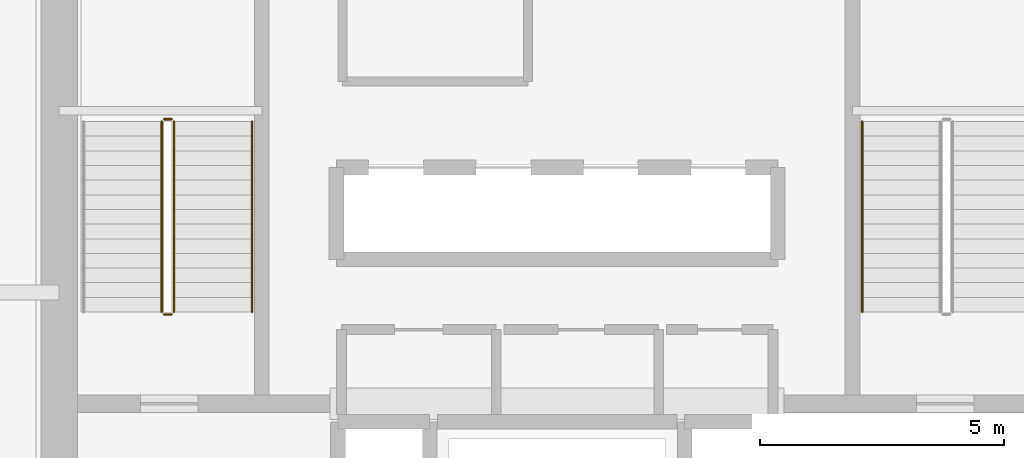
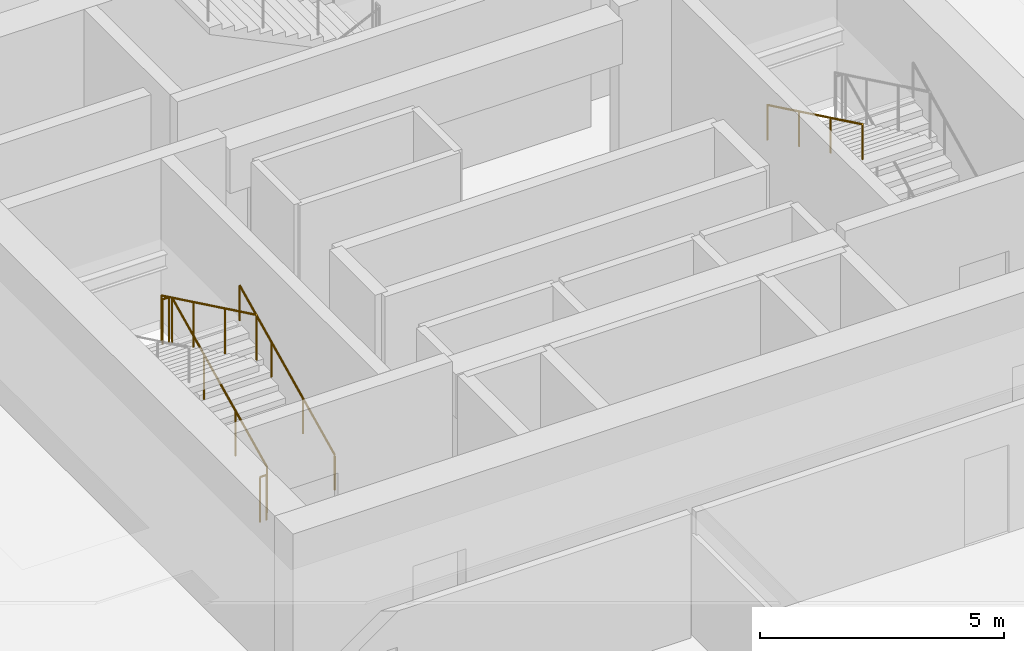
# One storey, part 33 of 36: 6 railings.
"""IFC4 building model written with IfcOpenShell, lengths in metres."""

import ifcopenshell
import ifcopenshell.guid

model = None  # the IFC model being written
_history = None  # IfcOwnerHistory: only IFC2X3 demands one
_inside = {}  # id of a spatial element -> (the spatial element, [elements in it])
_under = {}  # id of a project, library or spatial element -> (it, [spatial elements below it])
_declared = {}  # id of a project -> (the project, [libraries it declares])
_typed = {}  # id of a type object -> (the type object, [elements of that type])
_made_of = {}  # id of a material, layer set ... -> (it, [elements and type objects made of it])


def new_model(schema):
    """Start an empty IFC model of exactly this schema.

    Asked for "IFC4X3", IfcOpenShell would pick the latest addendum, in which some entities
    have other attributes; the version numbers below select the first issue.
    IFC2X3 requires an IfcOwnerHistory on every rooted entity: one is made here for all.
    """
    global model, _history
    if schema == "IFC4X3":
        model = ifcopenshell.file(schema_version=(4, 3, 0, 0))
    else:
        model = ifcopenshell.file(schema=schema)
    _inside.clear()
    _under.clear()
    _declared.clear()
    _typed.clear()
    _made_of.clear()
    _history = None
    if model.schema == "IFC2X3":
        org = make("IfcOrganization", Name="unknown")
        user = make(
            "IfcPersonAndOrganization",
            ThePerson=make("IfcPerson", FamilyName="unknown"),
            TheOrganization=org,
        )
        app = make(
            "IfcApplication",
            ApplicationDeveloper=org,
            Version="unknown",
            ApplicationFullName="unknown",
            ApplicationIdentifier="unknown",
        )
        _history = make(
            "IfcOwnerHistory",
            OwningUser=user,
            OwningApplication=app,
            ChangeAction="ADDED",
            CreationDate=0,
        )
    return model


def make(cls, **values):
    """One entity of the class cls with the attributes given. An attribute that is None is left unset."""
    return model.create_entity(
        cls, **{name: value for name, value in values.items() if value is not None}
    )


def rooted(cls, **values):
    """An entity with a GlobalId (a new one), such as an element, a storey or a relation."""
    return make(cls, GlobalId=ifcopenshell.guid.new(), OwnerHistory=_history, **values)


def si_unit(unit_type, name, prefix=None):
    """IfcSIUnit, for example si_unit("LENGTHUNIT", "METRE", prefix="MILLI")."""
    return make("IfcSIUnit", UnitType=unit_type, Prefix=prefix, Name=name)


def assignment(units):
    """IfcUnitAssignment: the units of a project."""
    return None if units is None else make("IfcUnitAssignment", Units=units)


def point(xyz):
    """IfcCartesianPoint."""
    return None if xyz is None else make("IfcCartesianPoint", Coordinates=xyz)


def direction(xyz):
    """IfcDirection."""
    return None if xyz is None else make("IfcDirection", DirectionRatios=xyz)


def frame(location, z_axis=None, x_axis=None):
    """IfcAxis2Placement3D, a coordinate frame: its origin and axes. An axis left out is left unset."""
    return make(
        "IfcAxis2Placement3D",
        Location=point(location),
        Axis=direction(z_axis),
        RefDirection=direction(x_axis),
    )


def frame_2d(location, x_axis=None):
    """IfcAxis2Placement2D, a coordinate frame in the plane: its origin and x axis."""
    return make(
        "IfcAxis2Placement2D", Location=point(location), RefDirection=direction(x_axis)
    )


def origin():
    """The frame at (0, 0, 0) with its axes left unset."""
    return frame((0.0, 0.0, 0.0))


def origin_2d():
    """The frame at (0, 0) in the plane with its x axis left unset."""
    return frame_2d((0.0, 0.0))


def place(relative_to, where):
    """IfcLocalPlacement: puts the frame where relative to a parent placement (None: the world)."""
    return make(
        "IfcLocalPlacement", PlacementRelTo=relative_to, RelativePlacement=where
    )


def context(
    kind, dimensions, precision=None, world=None, true_north=None, identifier=None
):
    """IfcGeometricRepresentationContext, for example the 3D "Model" context."""
    return make(
        "IfcGeometricRepresentationContext",
        ContextIdentifier=identifier,
        ContextType=kind,
        CoordinateSpaceDimension=dimensions,
        Precision=precision,
        WorldCoordinateSystem=world,
        TrueNorth=true_north,
    )


def subcontext(parent, identifier, kind, view, scale=None):
    """IfcGeometricRepresentationSubContext, for example "Body" below "Model"."""
    return make(
        "IfcGeometricRepresentationSubContext",
        ContextIdentifier=identifier,
        ContextType=kind,
        ParentContext=parent,
        TargetScale=scale,
        TargetView=view,
    )


def project(units=None, contexts=None):
    """IfcProject with its units and contexts."""
    return rooted(
        "IfcProject",
        Name="project",
        RepresentationContexts=contexts,
        UnitsInContext=assignment(units),
    )


def spatial(cls, under=None, at=None, **own):
    """A site, building, storey or space (cls), placed at a placement, below another one or the project."""
    s = rooted(cls, ObjectPlacement=at, **own)
    if under is not None:
        _under.setdefault(under.id(), (under, []))[1].append(s)
    return s


def profile(cls, at=None, kind="AREA", **sizes):
    """A parametric profile (cls). Its sizes go by their IFC names, for example OverallWidth=200.0."""
    return make(cls, ProfileType=kind, Position=at, **sizes)


def circle(**sizes):
    """IfcCircleProfileDef."""
    return profile("IfcCircleProfileDef", **sizes)


def extrude(swept, where, along, depth):
    """IfcExtrudedAreaSolid: the profile swept, set in the frame where, extruded along a direction by depth."""
    return make(
        "IfcExtrudedAreaSolid",
        SweptArea=swept,
        Position=where,
        ExtrudedDirection=direction(along),
        Depth=depth,
    )


def shape(context_of_items, identifier, shape_type, items):
    """IfcShapeRepresentation: the items that make up one representation, for example the "Body"."""
    return make(
        "IfcShapeRepresentation",
        ContextOfItems=context_of_items,
        RepresentationIdentifier=identifier,
        RepresentationType=shape_type,
        Items=items,
    )


def material(Name=None, Category=None):
    """IfcMaterial."""
    return make("IfcMaterial", Name=Name, Category=Category)


def made_of(thing, what):
    """Note that an element or type object is made of a material, layer set ...; save() writes the relation."""
    if what is not None:
        _made_of.setdefault(what.id(), (what, []))[1].append(thing)
    return thing


def type_object(cls, material=None, **own):
    """A type object (cls), such as IfcWallType, which elements share."""
    return made_of(rooted(cls, **own), material)


def element(
    cls,
    number,
    at=None,
    inside=None,
    cuts=None,
    type_object=None,
    material=None,
    context=None,
    identifier="Body",
    shape_type=None,
    held_by="IfcProductDefinitionShape",
    body=None,
    shapes=None,
    **own,
):
    """One element of the class cls, such as IfcWall. Its Tag is "e" and its number.

    at: its placement. inside: the storey or other place that contains it. cuts: it is an
    opening in that element (IfcRelVoidsElement). A single representation is given by context,
    identifier, shape_type and body (its items); several are given by shapes. held_by: the class
    of the entity that holds the representations. save() writes the other relations.
    """
    e = rooted(cls, Tag="e%d" % number, ObjectPlacement=at, **own)
    if body is not None:
        shapes = [shape(context, identifier, shape_type, body)]
    if shapes is not None:
        e.Representation = make(held_by, Representations=shapes)
    if inside is not None:
        _inside.setdefault(inside.id(), (inside, []))[1].append(e)
    if cuts is not None:
        rooted(
            "IfcRelVoidsElement", RelatingBuildingElement=cuts, RelatedOpeningElement=e
        )
    if type_object is not None:
        _typed.setdefault(type_object.id(), (type_object, []))[1].append(e)
    return made_of(e, material)


def aggregate(whole, parts):
    """IfcRelAggregates: a whole, such as a stair, and the parts it consists of."""
    return rooted("IfcRelAggregates", RelatingObject=whole, RelatedObjects=parts)


def save(model, path):
    """Write the relations noted so far, then the file.

    IfcRelAggregates (storeys below a building ...), IfcRelContainedInSpatialStructure (elements
    in a storey), IfcRelDefinesByType, IfcRelAssociatesMaterial and IfcRelDeclares: one each for
    every whole, place, type object, material and project.
    """
    for whole, parts in _under.values():
        aggregate(whole, parts)
    for where, things in _inside.values():
        rooted(
            "IfcRelContainedInSpatialStructure",
            RelatedElements=things,
            RelatingStructure=where,
        )
    for kind, things in _typed.values():
        rooted("IfcRelDefinesByType", RelatedObjects=things, RelatingType=kind)
    for what, things in _made_of.values():
        rooted("IfcRelAssociatesMaterial", RelatedObjects=things, RelatingMaterial=what)
    for by, libraries in _declared.values():
        rooted("IfcRelDeclares", RelatingContext=by, RelatedDefinitions=libraries)
    model.write(path)


model = new_model("IFC4")

# Units and contexts
model_context = context("Model", 3, precision=1e-05, world=origin(), true_north=direction((0.0, 1.0)))
body_context = subcontext(model_context, "Body", "Model", "MODEL_VIEW")
ifc_project = project(units=[si_unit("LENGTHUNIT", "METRE"), si_unit("AREAUNIT", "SQUARE_METRE"), si_unit("VOLUMEUNIT", "CUBIC_METRE"), si_unit("PLANEANGLEUNIT", "RADIAN"), si_unit("MASSUNIT", "GRAM", prefix="KILO")], contexts=[model_context])

# Site, building, storey
site_placement = place(None, origin())
site = spatial("IfcSite", under=ifc_project, at=site_placement, CompositionType="ELEMENT")
building_placement = place(site_placement, origin())
building = spatial("IfcBuilding", under=site, at=building_placement, Name="Punatoya Terracotta Tower", CompositionType="ELEMENT")
storey_placement = place(building_placement, frame((0.0, 0.0, 40.35009765625)))
storey = spatial("IfcBuildingStorey", under=building, at=storey_placement, Name="L08", CompositionType="ELEMENT", Elevation=40.35009765625)

# Railings
ifc_material = material(Name="Steel S355", Category="steel")
railing_type_1 = type_object("IfcRailingType", Name="RLG-GRD-1150", PredefinedType="GUARDRAIL", material=ifc_material)
railing_1_placement = place(storey_placement, frame((-7.85009765625, -3.800048828125, 0.14453125)))
element("IfcRailing", 1, at=railing_1_placement, inside=storey, type_object=railing_type_1, Name="L08 ST-1 stair guard 1", PredefinedType="GUARDRAIL", context=body_context, shape_type="SweptSolid", body=[
    extrude(circle(Radius=0.02392578125, at=origin_2d()), frame((0.0, 0.0, 1.1259765625), z_axis=(0.0, 0.900773802044, 0.434288564841), x_axis=(-1.0, 0.0, 0.0)), (0.0, 0.0, 1.0), 4.329833984375),
    extrude(circle(Radius=0.02099609375, at=origin_2d()), origin(), (0.0, 0.0, 1.0), 1.101806640625),
    extrude(circle(Radius=0.02099609375, at=origin_2d()), frame((0.0, 1.300048828125, 0.626708984375)), (0.0, 0.0, 1.0), 1.101806640625),
    extrude(circle(Radius=0.02099609375, at=origin_2d()), frame((0.0, 2.60009765625, 1.253662109375)), (0.0, 0.0, 1.0), 1.101806640625),
    extrude(circle(Radius=0.02099609375, at=origin_2d()), frame((0.0, 3.900146484375, 1.88037109375)), (0.0, 0.0, 1.0), 1.101806640625),
])
railing_2_placement = place(storey_placement, frame((-7.89990234375, 0.14990234375, 2.02490234375)))
element("IfcRailing", 2, at=railing_2_placement, inside=storey, type_object=railing_type_1, Name="L08 ST-1 stair guard 2", PredefinedType="GUARDRAIL", context=body_context, shape_type="SweptSolid", body=[
    extrude(circle(Radius=0.02392578125, at=origin_2d()), frame((0.0, 0.0, 1.1259765625), z_axis=(-1.0, 0.0, 0.0), x_axis=(0.0, -1.0, 0.0)), (0.0, 0.0, 1.0), 0.150146484375),
    extrude(circle(Radius=0.02099609375, at=origin_2d()), origin(), (0.0, 0.0, 1.0), 1.101806640625),
    extrude(circle(Radius=0.02099609375, at=origin_2d()), frame((-0.150146484375, 0.0, 0.0)), (0.0, 0.0, 1.0), 1.101806640625),
])
railing_3_placement = place(storey_placement, frame((-8.10009765625, 0.10009765625, 2.16943359375)))
element("IfcRailing", 3, at=railing_3_placement, inside=storey, type_object=railing_type_1, Name="L08 ST-1 stair guard 3", PredefinedType="GUARDRAIL", context=body_context, shape_type="SweptSolid", body=[
    extrude(circle(Radius=0.02392578125, at=origin_2d()), frame((0.0, 0.0, 1.1259765625), z_axis=(0.0, -0.900773802044, 0.434288564841), x_axis=(1.0, 0.0, 0.0)), (0.0, 0.0, 1.0), 4.329833984375),
    extrude(circle(Radius=0.02099609375, at=origin_2d()), origin(), (0.0, 0.0, 1.0), 1.101806640625),
    extrude(circle(Radius=0.02099609375, at=origin_2d()), frame((0.0, -1.300048828125, 0.626708984375)), (0.0, 0.0, 1.0), 1.101806640625),
    extrude(circle(Radius=0.02099609375, at=origin_2d()), frame((0.0, -2.60009765625, 1.253662109375)), (0.0, 0.0, 1.0), 1.101806640625),
    extrude(circle(Radius=0.02099609375, at=origin_2d()), frame((0.0, -3.900146484375, 1.88037109375)), (0.0, 0.0, 1.0), 1.101806640625),
])
railing_4_placement = place(storey_placement, frame((-7.89990234375, -3.85009765625, 0.0)))
element("IfcRailing", 4, at=railing_4_placement, inside=storey, type_object=railing_type_1, Name="L08 ST-1 stair guard 4", PredefinedType="GUARDRAIL", context=body_context, shape_type="SweptSolid", body=[
    extrude(circle(Radius=0.02392578125, at=origin_2d()), frame((0.0, 0.0, 1.1259765625), z_axis=(-1.0, 0.0, 0.0), x_axis=(0.0, -1.0, 0.0)), (0.0, 0.0, 1.0), 0.150146484375),
    extrude(circle(Radius=0.02099609375, at=origin_2d()), origin(), (0.0, 0.0, 1.0), 1.101806640625),
    extrude(circle(Radius=0.02099609375, at=origin_2d()), frame((-0.150146484375, 0.0, 0.0)), (0.0, 0.0, 1.0), 1.101806640625),
])
railing_type_2 = type_object("IfcRailingType", Name="RLG-HND-900", PredefinedType="HANDRAIL", material=ifc_material)
railing_5_placement = place(storey_placement, frame((-6.25, -3.800048828125, 0.14453125)))
element("IfcRailing", 5, at=railing_5_placement, inside=storey, type_object=railing_type_2, Name="L08 ST-1 stair handrail 1", PredefinedType="HANDRAIL", context=body_context, shape_type="SweptSolid", body=[
    extrude(circle(Radius=0.02392578125, at=origin_2d()), frame((0.0, 0.0, 0.8759765625), z_axis=(0.0, 0.900773802044, 0.434288564841), x_axis=(-1.0, 0.0, 0.0)), (0.0, 0.0, 1.0), 4.329833984375),
    extrude(circle(Radius=0.02099609375, at=origin_2d()), origin(), (0.0, 0.0, 1.0), 0.851806640625),
    extrude(circle(Radius=0.02099609375, at=origin_2d()), frame((0.0, 1.300048828125, 0.626708984375)), (0.0, 0.0, 1.0), 0.851806640625),
    extrude(circle(Radius=0.02099609375, at=origin_2d()), frame((0.0, 2.60009765625, 1.253662109375)), (0.0, 0.0, 1.0), 0.851806640625),
    extrude(circle(Radius=0.02099609375, at=origin_2d()), frame((0.0, 3.900146484375, 1.88037109375)), (0.0, 0.0, 1.0), 0.851806640625),
])
railing_6_placement = place(storey_placement, frame((6.25, 0.10009765625, 2.16943359375)))
element("IfcRailing", 6, at=railing_6_placement, inside=storey, type_object=railing_type_2, Name="L08 ST-2 stair handrail 2", PredefinedType="HANDRAIL", context=body_context, shape_type="SweptSolid", body=[
    extrude(circle(Radius=0.02392578125, at=origin_2d()), frame((0.0, 0.0, 0.8759765625), z_axis=(0.0, -0.900773802044, 0.434288564841), x_axis=(1.0, 0.0, 0.0)), (0.0, 0.0, 1.0), 4.329833984375),
    extrude(circle(Radius=0.02099609375, at=origin_2d()), origin(), (0.0, 0.0, 1.0), 0.851806640625),
    extrude(circle(Radius=0.02099609375, at=origin_2d()), frame((0.0, -1.300048828125, 0.626708984375)), (0.0, 0.0, 1.0), 0.851806640625),
    extrude(circle(Radius=0.02099609375, at=origin_2d()), frame((0.0, -2.60009765625, 1.253662109375)), (0.0, 0.0, 1.0), 0.851806640625),
    extrude(circle(Radius=0.02099609375, at=origin_2d()), frame((0.0, -3.900146484375, 1.88037109375)), (0.0, 0.0, 1.0), 0.851806640625),
])

save(model, "model.ifc")
